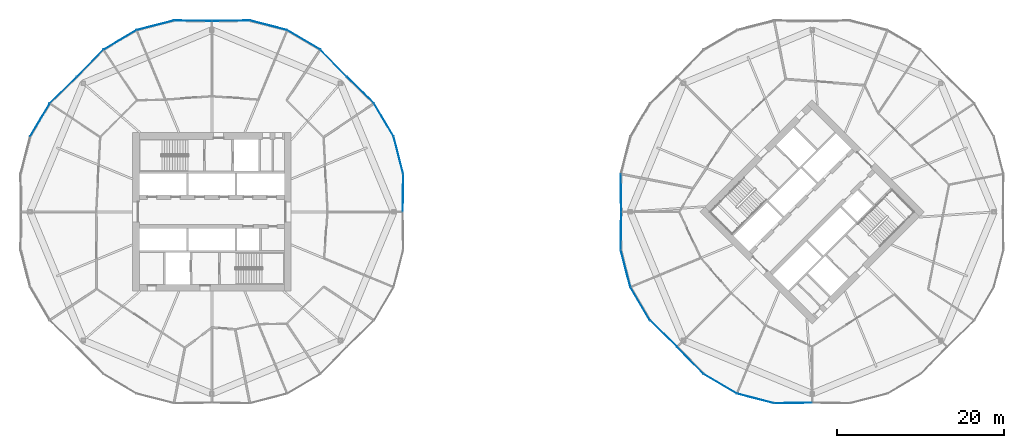
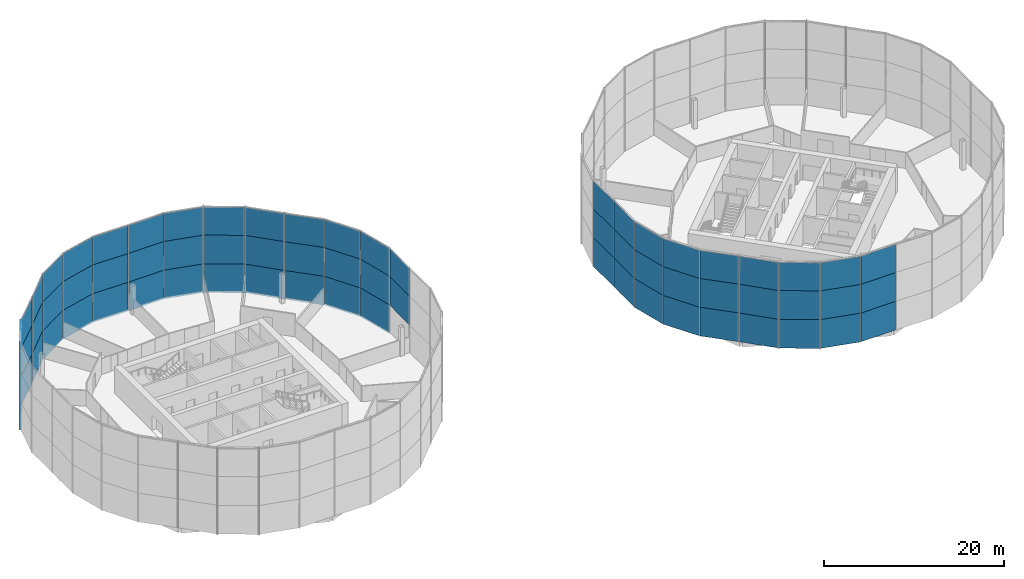
# One storey, part 17 of 25: 68 plates, 7 elements without a shape of their own.
"""IFC4 building model written with IfcOpenShell, lengths in metres."""

from ifc_helpers import new_model, si_unit, direction, frame, origin, origin_2d, place, context, subcontext, project, spatial, rectangle, extrude, material, layer, layer_set, type_object, element, aggregate, save


model = new_model("IFC4")

# Units and contexts
model_context = context("Model", 3, precision=1e-05, world=origin(), true_north=direction((0.0, 1.0)))
body_context = subcontext(model_context, "Body", "Model", "MODEL_VIEW")
ifc_project = project(units=[si_unit("LENGTHUNIT", "METRE"), si_unit("AREAUNIT", "SQUARE_METRE"), si_unit("VOLUMEUNIT", "CUBIC_METRE"), si_unit("PLANEANGLEUNIT", "RADIAN"), si_unit("MASSUNIT", "GRAM", prefix="KILO")], contexts=[model_context])

# Site, building, storey
site_placement = place(None, origin())
site = spatial("IfcSite", under=ifc_project, at=site_placement, CompositionType="ELEMENT")
building_placement = place(site_placement, origin())
building = spatial("IfcBuilding", under=site, at=building_placement, Name="Ogive Gate Towers", CompositionType="ELEMENT")
storey_placement = place(building_placement, frame((0.0, 0.0, 44.10009765625)))
storey = spatial("IfcBuildingStorey", under=building, at=storey_placement, Name="L09", CompositionType="ELEMENT", Elevation=44.10009765625)

# Curtain wall, plates
ifc_material_1 = material(Name="Pale metal aluminium", Category="aluminium")
curtain_wall_type = type_object("IfcCurtainWallType", Name="Tower unitised wall, low zone", PredefinedType="NOTDEFINED", material=ifc_material_1)
curtain_wall_1_placement = place(storey_placement, origin())
curtain_wall_1 = element("IfcCurtainWall", 1, at=curtain_wall_1_placement, inside=storey, type_object=curtain_wall_type, Name="CW1 T1 ECW01", PredefinedType="NOTDEFINED")
ifc_material_2 = material(Name="Clear glass", Category="glass")
ifc_layer = layer(ifc_material_2, 0.028076171875)
ifc_layer_set = layer_set([ifc_layer], Name="Tower unitised wall, low zone glass panel")
plate_type = type_object("IfcPlateType", Name="Tower unitised wall, low zone glass panel", PredefinedType="CURTAIN_PANEL", material=ifc_layer_set)
plate_1_placement = place(storey_placement, frame((-13.07373046875, 2.27685546875, 3.599853515625), z_axis=(0.0, 0.0, 1.0), x_axis=(0.011501466179, 0.99993385595, 0.0)))
plate_1 = element("IfcPlate", 2, at=plate_1_placement, type_object=plate_type, Name="CW1 glass panel", PredefinedType="CURTAIN_PANEL", context=body_context, shape_type="SweptSolid", body=[
    extrude(rectangle(XDim=4.500244140625, YDim=0.028076171875, at=origin_2d()), origin(), (0.0, 0.0, 1.0), 3.89990234375),
])
plate_2_placement = place(storey_placement, frame((-13.07373046875, 2.27685546875, 7.5), z_axis=(0.0, 0.0, 1.0), x_axis=(0.011501466179, 0.99993385595, 0.0)))
plate_2 = element("IfcPlate", 3, at=plate_2_placement, type_object=plate_type, Name="CW1 glass panel", PredefinedType="CURTAIN_PANEL", context=body_context, shape_type="SweptSolid", body=[
    extrude(rectangle(XDim=4.500244140625, YDim=0.028076171875, at=origin_2d()), origin(), (0.0, 0.0, 1.0), 3.803955078125),
])
plate_3_placement = place(storey_placement, frame((-13.62158203125, 6.794677734375, -0.300048828125), z_axis=(0.0, 0.0, 1.0), x_axis=(-0.248520833726, 0.96862655095, 0.0)))
plate_3 = element("IfcPlate", 4, at=plate_3_placement, type_object=plate_type, Name="CW1 glass panel", PredefinedType="CURTAIN_PANEL", context=body_context, shape_type="SweptSolid", body=[
    extrude(rectangle(XDim=4.55712890625, YDim=0.028076171875, at=origin_2d()), origin(), (0.0, 0.0, 1.0), 3.89990234375),
])
plate_4_placement = place(storey_placement, frame((-13.62158203125, 6.794677734375, 3.599853515625), z_axis=(0.0, 0.0, 1.0), x_axis=(-0.248520833726, 0.96862655095, 0.0)))
plate_4 = element("IfcPlate", 5, at=plate_4_placement, type_object=plate_type, Name="CW1 glass panel", PredefinedType="CURTAIN_PANEL", context=body_context, shape_type="SweptSolid", body=[
    extrude(rectangle(XDim=4.55712890625, YDim=0.028076171875, at=origin_2d()), origin(), (0.0, 0.0, 1.0), 3.89990234375),
])
plate_5_placement = place(storey_placement, frame((-13.62158203125, 6.794677734375, 7.5), z_axis=(0.0, 0.0, 1.0), x_axis=(-0.248520833726, 0.96862655095, 0.0)))
plate_5 = element("IfcPlate", 6, at=plate_5_placement, type_object=plate_type, Name="CW1 glass panel", PredefinedType="CURTAIN_PANEL", context=body_context, shape_type="SweptSolid", body=[
    extrude(rectangle(XDim=4.55712890625, YDim=0.028076171875, at=origin_2d()), origin(), (0.0, 0.0, 1.0), 3.803955078125),
])
plate_6_placement = place(storey_placement, frame((-15.37158203125, 11.01953125, -0.300048828125), z_axis=(0.0, 0.0, 1.0), x_axis=(-0.509176614511, 0.860662056347, 0.0)))
plate_6 = element("IfcPlate", 7, at=plate_6_placement, type_object=plate_type, Name="CW1 glass panel", PredefinedType="CURTAIN_PANEL", context=body_context, shape_type="SweptSolid", body=[
    extrude(rectangle(XDim=4.55712890625, YDim=0.028076171875, at=origin_2d()), origin(), (0.0, 0.0, 1.0), 3.89990234375),
])
plate_7_placement = place(storey_placement, frame((-15.37158203125, 11.01953125, 3.599853515625), z_axis=(0.0, 0.0, 1.0), x_axis=(-0.509176614511, 0.860662056347, 0.0)))
plate_7 = element("IfcPlate", 8, at=plate_7_placement, type_object=plate_type, Name="CW1 glass panel", PredefinedType="CURTAIN_PANEL", context=body_context, shape_type="SweptSolid", body=[
    extrude(rectangle(XDim=4.55712890625, YDim=0.028076171875, at=origin_2d()), origin(), (0.0, 0.0, 1.0), 3.89990234375),
])
plate_8_placement = place(storey_placement, frame((-15.37158203125, 11.01953125, 7.5), z_axis=(0.0, 0.0, 1.0), x_axis=(-0.509176614511, 0.860662056347, 0.0)))
plate_8 = element("IfcPlate", 9, at=plate_8_placement, type_object=plate_type, Name="CW1 glass panel", PredefinedType="CURTAIN_PANEL", context=body_context, shape_type="SweptSolid", body=[
    extrude(rectangle(XDim=4.55712890625, YDim=0.028076171875, at=origin_2d()), origin(), (0.0, 0.0, 1.0), 3.803955078125),
])
plate_9_placement = place(storey_placement, frame((-18.1787109375, 14.601318359375, -0.300048828125), z_axis=(0.0, 0.0, 1.0), x_axis=(-0.715204973482, 0.698914762976, 0.0)))
plate_9 = element("IfcPlate", 10, at=plate_9_placement, type_object=plate_type, Name="CW1 glass panel", PredefinedType="CURTAIN_PANEL", context=body_context, shape_type="SweptSolid", body=[
    extrude(rectangle(XDim=4.5, YDim=0.028076171875, at=origin_2d()), origin(), (0.0, 0.0, 1.0), 3.89990234375),
])
plate_10_placement = place(storey_placement, frame((-18.1787109375, 14.601318359375, 3.599853515625), z_axis=(0.0, 0.0, 1.0), x_axis=(-0.715204973482, 0.698914762976, 0.0)))
plate_10 = element("IfcPlate", 11, at=plate_10_placement, type_object=plate_type, Name="CW1 glass panel", PredefinedType="CURTAIN_PANEL", context=body_context, shape_type="SweptSolid", body=[
    extrude(rectangle(XDim=4.5, YDim=0.028076171875, at=origin_2d()), origin(), (0.0, 0.0, 1.0), 3.89990234375),
])
plate_11_placement = place(storey_placement, frame((-18.1787109375, 14.601318359375, 7.5), z_axis=(0.0, 0.0, 1.0), x_axis=(-0.715204973482, 0.698914762976, 0.0)))
plate_11 = element("IfcPlate", 12, at=plate_11_placement, type_object=plate_type, Name="CW1 glass panel", PredefinedType="CURTAIN_PANEL", context=body_context, shape_type="SweptSolid", body=[
    extrude(rectangle(XDim=4.5, YDim=0.028076171875, at=origin_2d()), origin(), (0.0, 0.0, 1.0), 3.803955078125),
])
aggregate(curtain_wall_1, [plate_1, plate_2, plate_3, plate_4, plate_5, plate_6, plate_7, plate_8, plate_9, plate_10, plate_11])

curtain_wall_2_placement = place(storey_placement, origin())
curtain_wall_2 = element("IfcCurtainWall", 13, at=curtain_wall_2_placement, inside=storey, type_object=curtain_wall_type, Name="CW1 T1 ECW02", PredefinedType="NOTDEFINED")
plate_12_placement = place(storey_placement, frame((-21.398681640625, 17.8212890625, -0.300048828125), z_axis=(0.0, 0.0, 1.0), x_axis=(-0.698914762976, 0.715204973482, 0.0)))
plate_12 = element("IfcPlate", 14, at=plate_12_placement, type_object=plate_type, Name="CW1 glass panel", PredefinedType="CURTAIN_PANEL", context=body_context, shape_type="SweptSolid", body=[
    extrude(rectangle(XDim=4.5, YDim=0.028076171875, at=origin_2d()), origin(), (0.0, 0.0, 1.0), 3.89990234375),
])
plate_13_placement = place(storey_placement, frame((-21.398681640625, 17.8212890625, 3.599853515625), z_axis=(0.0, 0.0, 1.0), x_axis=(-0.698914762976, 0.715204973482, 0.0)))
plate_13 = element("IfcPlate", 15, at=plate_13_placement, type_object=plate_type, Name="CW1 glass panel", PredefinedType="CURTAIN_PANEL", context=body_context, shape_type="SweptSolid", body=[
    extrude(rectangle(XDim=4.5, YDim=0.028076171875, at=origin_2d()), origin(), (0.0, 0.0, 1.0), 3.89990234375),
])
plate_14_placement = place(storey_placement, frame((-21.398681640625, 17.8212890625, 7.5), z_axis=(0.0, 0.0, 1.0), x_axis=(-0.698914762976, 0.715204973482, 0.0)))
plate_14 = element("IfcPlate", 16, at=plate_14_placement, type_object=plate_type, Name="CW1 glass panel", PredefinedType="CURTAIN_PANEL", context=body_context, shape_type="SweptSolid", body=[
    extrude(rectangle(XDim=4.5, YDim=0.028076171875, at=origin_2d()), origin(), (0.0, 0.0, 1.0), 3.803955078125),
])
plate_15_placement = place(storey_placement, frame((-24.98046875, 20.62841796875, -0.300048828125), z_axis=(0.0, 0.0, 1.0), x_axis=(-0.860662056347, 0.509176614511, 0.0)))
plate_15 = element("IfcPlate", 17, at=plate_15_placement, type_object=plate_type, Name="CW1 glass panel", PredefinedType="CURTAIN_PANEL", context=body_context, shape_type="SweptSolid", body=[
    extrude(rectangle(XDim=4.55712890625, YDim=0.028076171875, at=origin_2d()), origin(), (0.0, 0.0, 1.0), 3.89990234375),
])
plate_16_placement = place(storey_placement, frame((-24.98046875, 20.62841796875, 3.599853515625), z_axis=(0.0, 0.0, 1.0), x_axis=(-0.860662056347, 0.509176614511, 0.0)))
plate_16 = element("IfcPlate", 18, at=plate_16_placement, type_object=plate_type, Name="CW1 glass panel", PredefinedType="CURTAIN_PANEL", context=body_context, shape_type="SweptSolid", body=[
    extrude(rectangle(XDim=4.55712890625, YDim=0.028076171875, at=origin_2d()), origin(), (0.0, 0.0, 1.0), 3.89990234375),
])
plate_17_placement = place(storey_placement, frame((-24.98046875, 20.62841796875, 7.5), z_axis=(0.0, 0.0, 1.0), x_axis=(-0.860662056347, 0.509176614511, 0.0)))
plate_17 = element("IfcPlate", 19, at=plate_17_placement, type_object=plate_type, Name="CW1 glass panel", PredefinedType="CURTAIN_PANEL", context=body_context, shape_type="SweptSolid", body=[
    extrude(rectangle(XDim=4.55712890625, YDim=0.028076171875, at=origin_2d()), origin(), (0.0, 0.0, 1.0), 3.803955078125),
])
plate_18_placement = place(storey_placement, frame((-29.205322265625, 22.37841796875, -0.300048828125), z_axis=(0.0, 0.0, 1.0), x_axis=(-0.96862655095, 0.248520833726, 0.0)))
plate_18 = element("IfcPlate", 20, at=plate_18_placement, type_object=plate_type, Name="CW1 glass panel", PredefinedType="CURTAIN_PANEL", context=body_context, shape_type="SweptSolid", body=[
    extrude(rectangle(XDim=4.55712890625, YDim=0.028076171875, at=origin_2d()), origin(), (0.0, 0.0, 1.0), 3.89990234375),
])
plate_19_placement = place(storey_placement, frame((-29.205322265625, 22.37841796875, 3.599853515625), z_axis=(0.0, 0.0, 1.0), x_axis=(-0.96862655095, 0.248520833726, 0.0)))
plate_19 = element("IfcPlate", 21, at=plate_19_placement, type_object=plate_type, Name="CW1 glass panel", PredefinedType="CURTAIN_PANEL", context=body_context, shape_type="SweptSolid", body=[
    extrude(rectangle(XDim=4.55712890625, YDim=0.028076171875, at=origin_2d()), origin(), (0.0, 0.0, 1.0), 3.89990234375),
])
plate_20_placement = place(storey_placement, frame((-29.205322265625, 22.37841796875, 7.5), z_axis=(0.0, 0.0, 1.0), x_axis=(-0.96862655095, 0.248520833726, 0.0)))
plate_20 = element("IfcPlate", 22, at=plate_20_placement, type_object=plate_type, Name="CW1 glass panel", PredefinedType="CURTAIN_PANEL", context=body_context, shape_type="SweptSolid", body=[
    extrude(rectangle(XDim=4.55712890625, YDim=0.028076171875, at=origin_2d()), origin(), (0.0, 0.0, 1.0), 3.803955078125),
])
plate_21_placement = place(storey_placement, frame((-33.72314453125, 22.92626953125, -0.300048828125), z_axis=(0.0, 0.0, 1.0), x_axis=(-0.99993385595, -0.011501466179, 0.0)))
plate_21 = element("IfcPlate", 23, at=plate_21_placement, type_object=plate_type, Name="CW1 glass panel", PredefinedType="CURTAIN_PANEL", context=body_context, shape_type="SweptSolid", body=[
    extrude(rectangle(XDim=4.500244140625, YDim=0.028076171875, at=origin_2d()), origin(), (0.0, 0.0, 1.0), 3.89990234375),
])
plate_22_placement = place(storey_placement, frame((-33.72314453125, 22.92626953125, 3.599853515625), z_axis=(0.0, 0.0, 1.0), x_axis=(-0.99993385595, -0.011501466179, 0.0)))
plate_22 = element("IfcPlate", 24, at=plate_22_placement, type_object=plate_type, Name="CW1 glass panel", PredefinedType="CURTAIN_PANEL", context=body_context, shape_type="SweptSolid", body=[
    extrude(rectangle(XDim=4.500244140625, YDim=0.028076171875, at=origin_2d()), origin(), (0.0, 0.0, 1.0), 3.89990234375),
])
plate_23_placement = place(storey_placement, frame((-33.72314453125, 22.92626953125, 7.5), z_axis=(0.0, 0.0, 1.0), x_axis=(-0.99993385595, -0.011501466179, 0.0)))
plate_23 = element("IfcPlate", 25, at=plate_23_placement, type_object=plate_type, Name="CW1 glass panel", PredefinedType="CURTAIN_PANEL", context=body_context, shape_type="SweptSolid", body=[
    extrude(rectangle(XDim=4.500244140625, YDim=0.028076171875, at=origin_2d()), origin(), (0.0, 0.0, 1.0), 3.803955078125),
])
aggregate(curtain_wall_2, [plate_12, plate_13, plate_14, plate_15, plate_16, plate_17, plate_18, plate_19, plate_20, plate_21, plate_22, plate_23])

curtain_wall_3_placement = place(storey_placement, origin())
curtain_wall_3 = element("IfcCurtainWall", 26, at=curtain_wall_3_placement, inside=storey, type_object=curtain_wall_type, Name="CW1 T1 ECW03", PredefinedType="NOTDEFINED")
plate_24_placement = place(storey_placement, frame((-38.27685546875, 22.92626953125, -0.300048828125), z_axis=(0.0, 0.0, 1.0), x_axis=(-0.99993385595, 0.011501466179, 0.0)))
plate_24 = element("IfcPlate", 27, at=plate_24_placement, type_object=plate_type, Name="CW1 glass panel", PredefinedType="CURTAIN_PANEL", context=body_context, shape_type="SweptSolid", body=[
    extrude(rectangle(XDim=4.500244140625, YDim=0.028076171875, at=origin_2d()), origin(), (0.0, 0.0, 1.0), 3.89990234375),
])
plate_25_placement = place(storey_placement, frame((-38.27685546875, 22.92626953125, 3.599853515625), z_axis=(0.0, 0.0, 1.0), x_axis=(-0.99993385595, 0.011501466179, 0.0)))
plate_25 = element("IfcPlate", 28, at=plate_25_placement, type_object=plate_type, Name="CW1 glass panel", PredefinedType="CURTAIN_PANEL", context=body_context, shape_type="SweptSolid", body=[
    extrude(rectangle(XDim=4.500244140625, YDim=0.028076171875, at=origin_2d()), origin(), (0.0, 0.0, 1.0), 3.89990234375),
])
plate_26_placement = place(storey_placement, frame((-38.27685546875, 22.92626953125, 7.5), z_axis=(0.0, 0.0, 1.0), x_axis=(-0.99993385595, 0.011501466179, 0.0)))
plate_26 = element("IfcPlate", 29, at=plate_26_placement, type_object=plate_type, Name="CW1 glass panel", PredefinedType="CURTAIN_PANEL", context=body_context, shape_type="SweptSolid", body=[
    extrude(rectangle(XDim=4.500244140625, YDim=0.028076171875, at=origin_2d()), origin(), (0.0, 0.0, 1.0), 3.803955078125),
])
plate_27_placement = place(storey_placement, frame((-42.794677734375, 22.37841796875, -0.300048828125), z_axis=(0.0, 0.0, 1.0), x_axis=(-0.96862655095, -0.248520833726, 0.0)))
plate_27 = element("IfcPlate", 30, at=plate_27_placement, type_object=plate_type, Name="CW1 glass panel", PredefinedType="CURTAIN_PANEL", context=body_context, shape_type="SweptSolid", body=[
    extrude(rectangle(XDim=4.55712890625, YDim=0.028076171875, at=origin_2d()), origin(), (0.0, 0.0, 1.0), 3.89990234375),
])
plate_28_placement = place(storey_placement, frame((-42.794677734375, 22.37841796875, 3.599853515625), z_axis=(0.0, 0.0, 1.0), x_axis=(-0.96862655095, -0.248520833726, 0.0)))
plate_28 = element("IfcPlate", 31, at=plate_28_placement, type_object=plate_type, Name="CW1 glass panel", PredefinedType="CURTAIN_PANEL", context=body_context, shape_type="SweptSolid", body=[
    extrude(rectangle(XDim=4.55712890625, YDim=0.028076171875, at=origin_2d()), origin(), (0.0, 0.0, 1.0), 3.89990234375),
])
plate_29_placement = place(storey_placement, frame((-42.794677734375, 22.37841796875, 7.5), z_axis=(0.0, 0.0, 1.0), x_axis=(-0.96862655095, -0.248520833726, 0.0)))
plate_29 = element("IfcPlate", 32, at=plate_29_placement, type_object=plate_type, Name="CW1 glass panel", PredefinedType="CURTAIN_PANEL", context=body_context, shape_type="SweptSolid", body=[
    extrude(rectangle(XDim=4.55712890625, YDim=0.028076171875, at=origin_2d()), origin(), (0.0, 0.0, 1.0), 3.803955078125),
])
plate_30_placement = place(storey_placement, frame((-47.01953125, 20.62841796875, -0.300048828125), z_axis=(0.0, 0.0, 1.0), x_axis=(-0.860662056347, -0.509176614511, 0.0)))
plate_30 = element("IfcPlate", 33, at=plate_30_placement, type_object=plate_type, Name="CW1 glass panel", PredefinedType="CURTAIN_PANEL", context=body_context, shape_type="SweptSolid", body=[
    extrude(rectangle(XDim=4.55712890625, YDim=0.028076171875, at=origin_2d()), origin(), (0.0, 0.0, 1.0), 3.89990234375),
])
plate_31_placement = place(storey_placement, frame((-47.01953125, 20.62841796875, 3.599853515625), z_axis=(0.0, 0.0, 1.0), x_axis=(-0.860662056347, -0.509176614511, 0.0)))
plate_31 = element("IfcPlate", 34, at=plate_31_placement, type_object=plate_type, Name="CW1 glass panel", PredefinedType="CURTAIN_PANEL", context=body_context, shape_type="SweptSolid", body=[
    extrude(rectangle(XDim=4.55712890625, YDim=0.028076171875, at=origin_2d()), origin(), (0.0, 0.0, 1.0), 3.89990234375),
])
plate_32_placement = place(storey_placement, frame((-47.01953125, 20.62841796875, 7.5), z_axis=(0.0, 0.0, 1.0), x_axis=(-0.860662056347, -0.509176614511, 0.0)))
plate_32 = element("IfcPlate", 35, at=plate_32_placement, type_object=plate_type, Name="CW1 glass panel", PredefinedType="CURTAIN_PANEL", context=body_context, shape_type="SweptSolid", body=[
    extrude(rectangle(XDim=4.55712890625, YDim=0.028076171875, at=origin_2d()), origin(), (0.0, 0.0, 1.0), 3.803955078125),
])
plate_33_placement = place(storey_placement, frame((-50.601318359375, 17.8212890625, -0.300048828125), z_axis=(0.0, 0.0, 1.0), x_axis=(-0.698914762976, -0.715204973482, 0.0)))
plate_33 = element("IfcPlate", 36, at=plate_33_placement, type_object=plate_type, Name="CW1 glass panel", PredefinedType="CURTAIN_PANEL", context=body_context, shape_type="SweptSolid", body=[
    extrude(rectangle(XDim=4.5, YDim=0.028076171875, at=origin_2d()), origin(), (0.0, 0.0, 1.0), 3.89990234375),
])
plate_34_placement = place(storey_placement, frame((-50.601318359375, 17.8212890625, 3.599853515625), z_axis=(0.0, 0.0, 1.0), x_axis=(-0.698914762976, -0.715204973482, 0.0)))
plate_34 = element("IfcPlate", 37, at=plate_34_placement, type_object=plate_type, Name="CW1 glass panel", PredefinedType="CURTAIN_PANEL", context=body_context, shape_type="SweptSolid", body=[
    extrude(rectangle(XDim=4.5, YDim=0.028076171875, at=origin_2d()), origin(), (0.0, 0.0, 1.0), 3.89990234375),
])
plate_35_placement = place(storey_placement, frame((-50.601318359375, 17.8212890625, 7.5), z_axis=(0.0, 0.0, 1.0), x_axis=(-0.698914762976, -0.715204973482, 0.0)))
plate_35 = element("IfcPlate", 38, at=plate_35_placement, type_object=plate_type, Name="CW1 glass panel", PredefinedType="CURTAIN_PANEL", context=body_context, shape_type="SweptSolid", body=[
    extrude(rectangle(XDim=4.5, YDim=0.028076171875, at=origin_2d()), origin(), (0.0, 0.0, 1.0), 3.803955078125),
])
aggregate(curtain_wall_3, [plate_24, plate_25, plate_26, plate_27, plate_28, plate_29, plate_30, plate_31, plate_32, plate_33, plate_34, plate_35])

curtain_wall_4_placement = place(storey_placement, origin())
curtain_wall_4 = element("IfcCurtainWall", 39, at=curtain_wall_4_placement, inside=storey, type_object=curtain_wall_type, Name="CW1 T1 ECW04", PredefinedType="NOTDEFINED")
plate_36_placement = place(storey_placement, frame((-53.8212890625, 14.601318359375, -0.300048828125), z_axis=(0.0, 0.0, 1.0), x_axis=(-0.715204973482, -0.698914762976, 0.0)))
plate_36 = element("IfcPlate", 40, at=plate_36_placement, type_object=plate_type, Name="CW1 glass panel", PredefinedType="CURTAIN_PANEL", context=body_context, shape_type="SweptSolid", body=[
    extrude(rectangle(XDim=4.5, YDim=0.028076171875, at=origin_2d()), origin(), (0.0, 0.0, 1.0), 3.89990234375),
])
plate_37_placement = place(storey_placement, frame((-53.8212890625, 14.601318359375, 3.599853515625), z_axis=(0.0, 0.0, 1.0), x_axis=(-0.715204973482, -0.698914762976, 0.0)))
plate_37 = element("IfcPlate", 41, at=plate_37_placement, type_object=plate_type, Name="CW1 glass panel", PredefinedType="CURTAIN_PANEL", context=body_context, shape_type="SweptSolid", body=[
    extrude(rectangle(XDim=4.5, YDim=0.028076171875, at=origin_2d()), origin(), (0.0, 0.0, 1.0), 3.89990234375),
])
plate_38_placement = place(storey_placement, frame((-53.8212890625, 14.601318359375, 7.5), z_axis=(0.0, 0.0, 1.0), x_axis=(-0.715204973482, -0.698914762976, 0.0)))
plate_38 = element("IfcPlate", 42, at=plate_38_placement, type_object=plate_type, Name="CW1 glass panel", PredefinedType="CURTAIN_PANEL", context=body_context, shape_type="SweptSolid", body=[
    extrude(rectangle(XDim=4.5, YDim=0.028076171875, at=origin_2d()), origin(), (0.0, 0.0, 1.0), 3.803955078125),
])
plate_39_placement = place(storey_placement, frame((-56.62841796875, 11.01953125, -0.300048828125), z_axis=(0.0, 0.0, 1.0), x_axis=(-0.509176614511, -0.860662056347, 0.0)))
plate_39 = element("IfcPlate", 43, at=plate_39_placement, type_object=plate_type, Name="CW1 glass panel", PredefinedType="CURTAIN_PANEL", context=body_context, shape_type="SweptSolid", body=[
    extrude(rectangle(XDim=4.55712890625, YDim=0.028076171875, at=origin_2d()), origin(), (0.0, 0.0, 1.0), 3.89990234375),
])
plate_40_placement = place(storey_placement, frame((-56.62841796875, 11.01953125, 3.599853515625), z_axis=(0.0, 0.0, 1.0), x_axis=(-0.509176614511, -0.860662056347, 0.0)))
plate_40 = element("IfcPlate", 44, at=plate_40_placement, type_object=plate_type, Name="CW1 glass panel", PredefinedType="CURTAIN_PANEL", context=body_context, shape_type="SweptSolid", body=[
    extrude(rectangle(XDim=4.55712890625, YDim=0.028076171875, at=origin_2d()), origin(), (0.0, 0.0, 1.0), 3.89990234375),
])
plate_41_placement = place(storey_placement, frame((-56.62841796875, 11.01953125, 7.5), z_axis=(0.0, 0.0, 1.0), x_axis=(-0.509176614511, -0.860662056347, 0.0)))
plate_41 = element("IfcPlate", 45, at=plate_41_placement, type_object=plate_type, Name="CW1 glass panel", PredefinedType="CURTAIN_PANEL", context=body_context, shape_type="SweptSolid", body=[
    extrude(rectangle(XDim=4.55712890625, YDim=0.028076171875, at=origin_2d()), origin(), (0.0, 0.0, 1.0), 3.803955078125),
])
aggregate(curtain_wall_4, [plate_36, plate_37, plate_38, plate_39, plate_40, plate_41])

curtain_wall_5_placement = place(storey_placement, origin())
curtain_wall_5 = element("IfcCurtainWall", 46, at=curtain_wall_5_placement, inside=storey, type_object=curtain_wall_type, Name="CW1 T2 ECW04", PredefinedType="NOTDEFINED")
plate_42_placement = place(storey_placement, frame((13.07373046875, 2.27685546875, -0.300048828125), z_axis=(0.0, 0.0, 1.0), x_axis=(0.011501466179, -0.99993385595, 0.0)))
plate_42 = element("IfcPlate", 47, at=plate_42_placement, type_object=plate_type, Name="CW1 glass panel", PredefinedType="CURTAIN_PANEL", context=body_context, shape_type="SweptSolid", body=[
    extrude(rectangle(XDim=4.500244140625, YDim=0.028076171875, at=origin_2d()), origin(), (0.0, 0.0, 1.0), 3.89990234375),
])
plate_43_placement = place(storey_placement, frame((13.07373046875, 2.27685546875, 3.599853515625), z_axis=(0.0, 0.0, 1.0), x_axis=(0.011501466179, -0.99993385595, 0.0)))
plate_43 = element("IfcPlate", 48, at=plate_43_placement, type_object=plate_type, Name="CW1 glass panel", PredefinedType="CURTAIN_PANEL", context=body_context, shape_type="SweptSolid", body=[
    extrude(rectangle(XDim=4.500244140625, YDim=0.028076171875, at=origin_2d()), origin(), (0.0, 0.0, 1.0), 3.89990234375),
])
plate_44_placement = place(storey_placement, frame((13.07373046875, 2.27685546875, 7.5), z_axis=(0.0, 0.0, 1.0), x_axis=(0.011501466179, -0.99993385595, 0.0)))
plate_44 = element("IfcPlate", 49, at=plate_44_placement, type_object=plate_type, Name="CW1 glass panel", PredefinedType="CURTAIN_PANEL", context=body_context, shape_type="SweptSolid", body=[
    extrude(rectangle(XDim=4.500244140625, YDim=0.028076171875, at=origin_2d()), origin(), (0.0, 0.0, 1.0), 3.803955078125),
])
aggregate(curtain_wall_5, [plate_42, plate_43, plate_44])

curtain_wall_6_placement = place(storey_placement, origin())
curtain_wall_6 = element("IfcCurtainWall", 50, at=curtain_wall_6_placement, inside=storey, type_object=curtain_wall_type, Name="CW1 T2 ECW05", PredefinedType="NOTDEFINED")
plate_45_placement = place(storey_placement, frame((13.07373046875, -2.27685546875, -0.300048828125), z_axis=(0.0, 0.0, 1.0), x_axis=(-0.011501466179, -0.99993385595, 0.0)))
plate_45 = element("IfcPlate", 51, at=plate_45_placement, type_object=plate_type, Name="CW1 glass panel", PredefinedType="CURTAIN_PANEL", context=body_context, shape_type="SweptSolid", body=[
    extrude(rectangle(XDim=4.500244140625, YDim=0.028076171875, at=origin_2d()), origin(), (0.0, 0.0, 1.0), 3.89990234375),
])
plate_46_placement = place(storey_placement, frame((13.07373046875, -2.27685546875, 3.599853515625), z_axis=(0.0, 0.0, 1.0), x_axis=(-0.011501466179, -0.99993385595, 0.0)))
plate_46 = element("IfcPlate", 52, at=plate_46_placement, type_object=plate_type, Name="CW1 glass panel", PredefinedType="CURTAIN_PANEL", context=body_context, shape_type="SweptSolid", body=[
    extrude(rectangle(XDim=4.500244140625, YDim=0.028076171875, at=origin_2d()), origin(), (0.0, 0.0, 1.0), 3.89990234375),
])
plate_47_placement = place(storey_placement, frame((13.07373046875, -2.27685546875, 7.5), z_axis=(0.0, 0.0, 1.0), x_axis=(-0.011501466179, -0.99993385595, 0.0)))
plate_47 = element("IfcPlate", 53, at=plate_47_placement, type_object=plate_type, Name="CW1 glass panel", PredefinedType="CURTAIN_PANEL", context=body_context, shape_type="SweptSolid", body=[
    extrude(rectangle(XDim=4.500244140625, YDim=0.028076171875, at=origin_2d()), origin(), (0.0, 0.0, 1.0), 3.803955078125),
])
plate_48_placement = place(storey_placement, frame((13.62158203125, -6.794677734375, -0.300048828125), z_axis=(0.0, 0.0, 1.0), x_axis=(0.248520833726, -0.96862655095, 0.0)))
plate_48 = element("IfcPlate", 54, at=plate_48_placement, type_object=plate_type, Name="CW1 glass panel", PredefinedType="CURTAIN_PANEL", context=body_context, shape_type="SweptSolid", body=[
    extrude(rectangle(XDim=4.55712890625, YDim=0.028076171875, at=origin_2d()), origin(), (0.0, 0.0, 1.0), 3.89990234375),
])
plate_49_placement = place(storey_placement, frame((13.62158203125, -6.794677734375, 3.599853515625), z_axis=(0.0, 0.0, 1.0), x_axis=(0.248520833726, -0.96862655095, 0.0)))
plate_49 = element("IfcPlate", 55, at=plate_49_placement, type_object=plate_type, Name="CW1 glass panel", PredefinedType="CURTAIN_PANEL", context=body_context, shape_type="SweptSolid", body=[
    extrude(rectangle(XDim=4.55712890625, YDim=0.028076171875, at=origin_2d()), origin(), (0.0, 0.0, 1.0), 3.89990234375),
])
plate_50_placement = place(storey_placement, frame((13.62158203125, -6.794677734375, 7.5), z_axis=(0.0, 0.0, 1.0), x_axis=(0.248520833726, -0.96862655095, 0.0)))
plate_50 = element("IfcPlate", 56, at=plate_50_placement, type_object=plate_type, Name="CW1 glass panel", PredefinedType="CURTAIN_PANEL", context=body_context, shape_type="SweptSolid", body=[
    extrude(rectangle(XDim=4.55712890625, YDim=0.028076171875, at=origin_2d()), origin(), (0.0, 0.0, 1.0), 3.803955078125),
])
plate_51_placement = place(storey_placement, frame((15.37158203125, -11.01953125, -0.300048828125), z_axis=(0.0, 0.0, 1.0), x_axis=(0.509176614511, -0.860662056347, 0.0)))
plate_51 = element("IfcPlate", 57, at=plate_51_placement, type_object=plate_type, Name="CW1 glass panel", PredefinedType="CURTAIN_PANEL", context=body_context, shape_type="SweptSolid", body=[
    extrude(rectangle(XDim=4.55712890625, YDim=0.028076171875, at=origin_2d()), origin(), (0.0, 0.0, 1.0), 3.89990234375),
])
plate_52_placement = place(storey_placement, frame((15.37158203125, -11.01953125, 3.599853515625), z_axis=(0.0, 0.0, 1.0), x_axis=(0.509176614511, -0.860662056347, 0.0)))
plate_52 = element("IfcPlate", 58, at=plate_52_placement, type_object=plate_type, Name="CW1 glass panel", PredefinedType="CURTAIN_PANEL", context=body_context, shape_type="SweptSolid", body=[
    extrude(rectangle(XDim=4.55712890625, YDim=0.028076171875, at=origin_2d()), origin(), (0.0, 0.0, 1.0), 3.89990234375),
])
plate_53_placement = place(storey_placement, frame((15.37158203125, -11.01953125, 7.5), z_axis=(0.0, 0.0, 1.0), x_axis=(0.509176614511, -0.860662056347, 0.0)))
plate_53 = element("IfcPlate", 59, at=plate_53_placement, type_object=plate_type, Name="CW1 glass panel", PredefinedType="CURTAIN_PANEL", context=body_context, shape_type="SweptSolid", body=[
    extrude(rectangle(XDim=4.55712890625, YDim=0.028076171875, at=origin_2d()), origin(), (0.0, 0.0, 1.0), 3.803955078125),
])
plate_54_placement = place(storey_placement, frame((18.1787109375, -14.601318359375, -0.300048828125), z_axis=(0.0, 0.0, 1.0), x_axis=(0.715204973482, -0.698914762976, 0.0)))
plate_54 = element("IfcPlate", 60, at=plate_54_placement, type_object=plate_type, Name="CW1 glass panel", PredefinedType="CURTAIN_PANEL", context=body_context, shape_type="SweptSolid", body=[
    extrude(rectangle(XDim=4.5, YDim=0.028076171875, at=origin_2d()), origin(), (0.0, 0.0, 1.0), 3.89990234375),
])
plate_55_placement = place(storey_placement, frame((18.1787109375, -14.601318359375, 3.599853515625), z_axis=(0.0, 0.0, 1.0), x_axis=(0.715204973482, -0.698914762976, 0.0)))
plate_55 = element("IfcPlate", 61, at=plate_55_placement, type_object=plate_type, Name="CW1 glass panel", PredefinedType="CURTAIN_PANEL", context=body_context, shape_type="SweptSolid", body=[
    extrude(rectangle(XDim=4.5, YDim=0.028076171875, at=origin_2d()), origin(), (0.0, 0.0, 1.0), 3.89990234375),
])
plate_56_placement = place(storey_placement, frame((18.1787109375, -14.601318359375, 7.5), z_axis=(0.0, 0.0, 1.0), x_axis=(0.715204973482, -0.698914762976, 0.0)))
plate_56 = element("IfcPlate", 62, at=plate_56_placement, type_object=plate_type, Name="CW1 glass panel", PredefinedType="CURTAIN_PANEL", context=body_context, shape_type="SweptSolid", body=[
    extrude(rectangle(XDim=4.5, YDim=0.028076171875, at=origin_2d()), origin(), (0.0, 0.0, 1.0), 3.803955078125),
])
aggregate(curtain_wall_6, [plate_45, plate_46, plate_47, plate_48, plate_49, plate_50, plate_51, plate_52, plate_53, plate_54, plate_55, plate_56])

curtain_wall_7_placement = place(storey_placement, origin())
curtain_wall_7 = element("IfcCurtainWall", 63, at=curtain_wall_7_placement, inside=storey, type_object=curtain_wall_type, Name="CW1 T2 ECW06", PredefinedType="NOTDEFINED")
plate_57_placement = place(storey_placement, frame((21.398681640625, -17.8212890625, -0.300048828125), z_axis=(0.0, 0.0, 1.0), x_axis=(0.698914762976, -0.715204973482, 0.0)))
plate_57 = element("IfcPlate", 64, at=plate_57_placement, type_object=plate_type, Name="CW1 glass panel", PredefinedType="CURTAIN_PANEL", context=body_context, shape_type="SweptSolid", body=[
    extrude(rectangle(XDim=4.5, YDim=0.028076171875, at=origin_2d()), origin(), (0.0, 0.0, 1.0), 3.89990234375),
])
plate_58_placement = place(storey_placement, frame((21.398681640625, -17.8212890625, 3.599853515625), z_axis=(0.0, 0.0, 1.0), x_axis=(0.698914762976, -0.715204973482, 0.0)))
plate_58 = element("IfcPlate", 65, at=plate_58_placement, type_object=plate_type, Name="CW1 glass panel", PredefinedType="CURTAIN_PANEL", context=body_context, shape_type="SweptSolid", body=[
    extrude(rectangle(XDim=4.5, YDim=0.028076171875, at=origin_2d()), origin(), (0.0, 0.0, 1.0), 3.89990234375),
])
plate_59_placement = place(storey_placement, frame((21.398681640625, -17.8212890625, 7.5), z_axis=(0.0, 0.0, 1.0), x_axis=(0.698914762976, -0.715204973482, 0.0)))
plate_59 = element("IfcPlate", 66, at=plate_59_placement, type_object=plate_type, Name="CW1 glass panel", PredefinedType="CURTAIN_PANEL", context=body_context, shape_type="SweptSolid", body=[
    extrude(rectangle(XDim=4.5, YDim=0.028076171875, at=origin_2d()), origin(), (0.0, 0.0, 1.0), 3.803955078125),
])
plate_60_placement = place(storey_placement, frame((24.98046875, -20.62841796875, -0.300048828125), z_axis=(0.0, 0.0, 1.0), x_axis=(0.860662056347, -0.509176614511, 0.0)))
plate_60 = element("IfcPlate", 67, at=plate_60_placement, type_object=plate_type, Name="CW1 glass panel", PredefinedType="CURTAIN_PANEL", context=body_context, shape_type="SweptSolid", body=[
    extrude(rectangle(XDim=4.55712890625, YDim=0.028076171875, at=origin_2d()), origin(), (0.0, 0.0, 1.0), 3.89990234375),
])
plate_61_placement = place(storey_placement, frame((24.98046875, -20.62841796875, 3.599853515625), z_axis=(0.0, 0.0, 1.0), x_axis=(0.860662056347, -0.509176614511, 0.0)))
plate_61 = element("IfcPlate", 68, at=plate_61_placement, type_object=plate_type, Name="CW1 glass panel", PredefinedType="CURTAIN_PANEL", context=body_context, shape_type="SweptSolid", body=[
    extrude(rectangle(XDim=4.55712890625, YDim=0.028076171875, at=origin_2d()), origin(), (0.0, 0.0, 1.0), 3.89990234375),
])
plate_62_placement = place(storey_placement, frame((24.98046875, -20.62841796875, 7.5), z_axis=(0.0, 0.0, 1.0), x_axis=(0.860662056347, -0.509176614511, 0.0)))
plate_62 = element("IfcPlate", 69, at=plate_62_placement, type_object=plate_type, Name="CW1 glass panel", PredefinedType="CURTAIN_PANEL", context=body_context, shape_type="SweptSolid", body=[
    extrude(rectangle(XDim=4.55712890625, YDim=0.028076171875, at=origin_2d()), origin(), (0.0, 0.0, 1.0), 3.803955078125),
])
plate_63_placement = place(storey_placement, frame((29.205322265625, -22.37841796875, -0.300048828125), z_axis=(0.0, 0.0, 1.0), x_axis=(0.96862655095, -0.248520833726, 0.0)))
plate_63 = element("IfcPlate", 70, at=plate_63_placement, type_object=plate_type, Name="CW1 glass panel", PredefinedType="CURTAIN_PANEL", context=body_context, shape_type="SweptSolid", body=[
    extrude(rectangle(XDim=4.55712890625, YDim=0.028076171875, at=origin_2d()), origin(), (0.0, 0.0, 1.0), 3.89990234375),
])
plate_64_placement = place(storey_placement, frame((29.205322265625, -22.37841796875, 3.599853515625), z_axis=(0.0, 0.0, 1.0), x_axis=(0.96862655095, -0.248520833726, 0.0)))
plate_64 = element("IfcPlate", 71, at=plate_64_placement, type_object=plate_type, Name="CW1 glass panel", PredefinedType="CURTAIN_PANEL", context=body_context, shape_type="SweptSolid", body=[
    extrude(rectangle(XDim=4.55712890625, YDim=0.028076171875, at=origin_2d()), origin(), (0.0, 0.0, 1.0), 3.89990234375),
])
plate_65_placement = place(storey_placement, frame((29.205322265625, -22.37841796875, 7.5), z_axis=(0.0, 0.0, 1.0), x_axis=(0.96862655095, -0.248520833726, 0.0)))
plate_65 = element("IfcPlate", 72, at=plate_65_placement, type_object=plate_type, Name="CW1 glass panel", PredefinedType="CURTAIN_PANEL", context=body_context, shape_type="SweptSolid", body=[
    extrude(rectangle(XDim=4.55712890625, YDim=0.028076171875, at=origin_2d()), origin(), (0.0, 0.0, 1.0), 3.803955078125),
])
plate_66_placement = place(storey_placement, frame((33.72314453125, -22.92626953125, -0.300048828125), z_axis=(0.0, 0.0, 1.0), x_axis=(0.99993385595, 0.011501466179, 0.0)))
plate_66 = element("IfcPlate", 73, at=plate_66_placement, type_object=plate_type, Name="CW1 glass panel", PredefinedType="CURTAIN_PANEL", context=body_context, shape_type="SweptSolid", body=[
    extrude(rectangle(XDim=4.500244140625, YDim=0.028076171875, at=origin_2d()), origin(), (0.0, 0.0, 1.0), 3.89990234375),
])
plate_67_placement = place(storey_placement, frame((33.72314453125, -22.92626953125, 3.599853515625), z_axis=(0.0, 0.0, 1.0), x_axis=(0.99993385595, 0.011501466179, 0.0)))
plate_67 = element("IfcPlate", 74, at=plate_67_placement, type_object=plate_type, Name="CW1 glass panel", PredefinedType="CURTAIN_PANEL", context=body_context, shape_type="SweptSolid", body=[
    extrude(rectangle(XDim=4.500244140625, YDim=0.028076171875, at=origin_2d()), origin(), (0.0, 0.0, 1.0), 3.89990234375),
])
plate_68_placement = place(storey_placement, frame((33.72314453125, -22.92626953125, 7.5), z_axis=(0.0, 0.0, 1.0), x_axis=(0.99993385595, 0.011501466179, 0.0)))
plate_68 = element("IfcPlate", 75, at=plate_68_placement, type_object=plate_type, Name="CW1 glass panel", PredefinedType="CURTAIN_PANEL", context=body_context, shape_type="SweptSolid", body=[
    extrude(rectangle(XDim=4.500244140625, YDim=0.028076171875, at=origin_2d()), origin(), (0.0, 0.0, 1.0), 3.803955078125),
])
aggregate(curtain_wall_7, [plate_57, plate_58, plate_59, plate_60, plate_61, plate_62, plate_63, plate_64, plate_65, plate_66, plate_67, plate_68])

save(model, "model.ifc")
